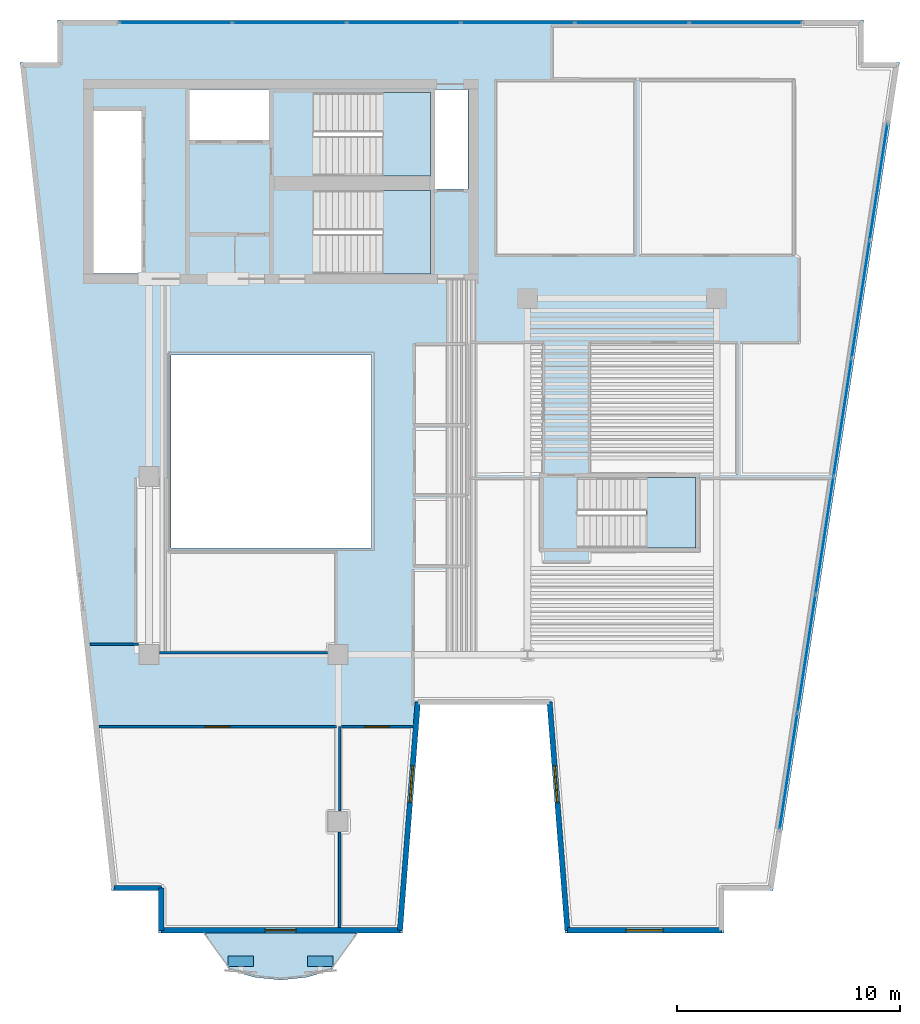
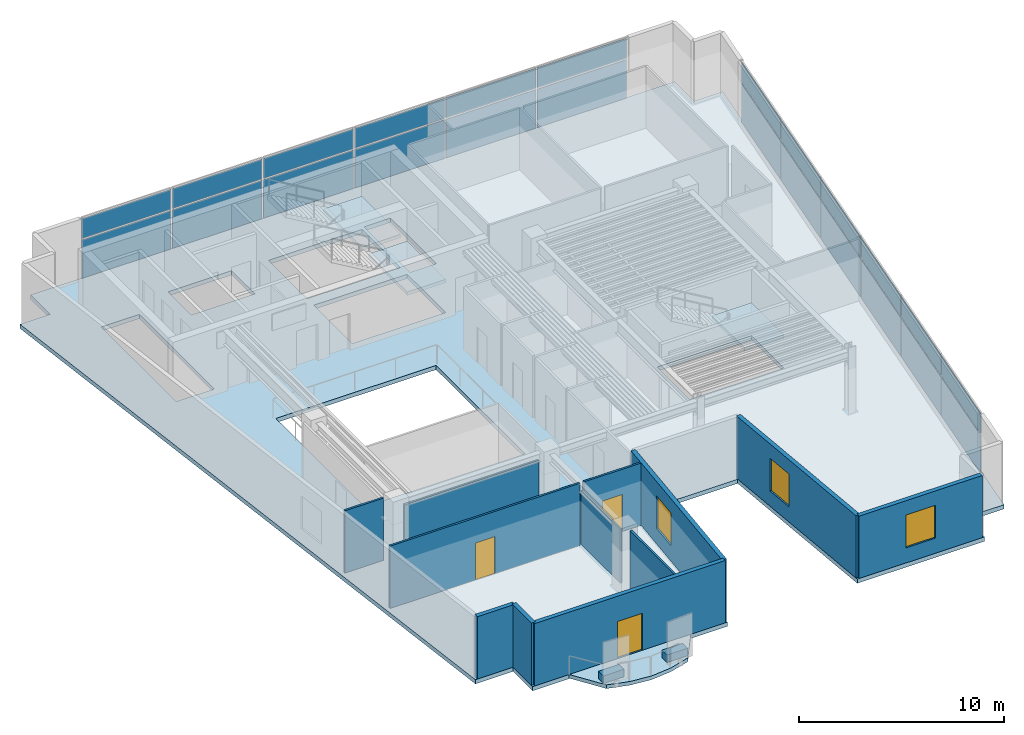
# One storey, part 3 of 8: 26 plates, 12 walls, 5 slabs, 3 doors, 3 windows, 6 openings, 5 elements without a shape of their own.
"""IFC4 building model written with IfcOpenShell, lengths in metres."""

import ifcopenshell
import ifcopenshell.guid

model = None  # the IFC model being written
_history = None  # IfcOwnerHistory: only IFC2X3 demands one
_inside = {}  # id of a spatial element -> (the spatial element, [elements in it])
_under = {}  # id of a project, library or spatial element -> (it, [spatial elements below it])
_declared = {}  # id of a project -> (the project, [libraries it declares])
_typed = {}  # id of a type object -> (the type object, [elements of that type])
_made_of = {}  # id of a material, layer set ... -> (it, [elements and type objects made of it])


def new_model(schema):
    """Start an empty IFC model of exactly this schema.

    Asked for "IFC4X3", IfcOpenShell would pick the latest addendum, in which some entities
    have other attributes; the version numbers below select the first issue.
    IFC2X3 requires an IfcOwnerHistory on every rooted entity: one is made here for all.
    """
    global model, _history
    if schema == "IFC4X3":
        model = ifcopenshell.file(schema_version=(4, 3, 0, 0))
    else:
        model = ifcopenshell.file(schema=schema)
    _inside.clear()
    _under.clear()
    _declared.clear()
    _typed.clear()
    _made_of.clear()
    _history = None
    if model.schema == "IFC2X3":
        org = make("IfcOrganization", Name="unknown")
        user = make(
            "IfcPersonAndOrganization",
            ThePerson=make("IfcPerson", FamilyName="unknown"),
            TheOrganization=org,
        )
        app = make(
            "IfcApplication",
            ApplicationDeveloper=org,
            Version="unknown",
            ApplicationFullName="unknown",
            ApplicationIdentifier="unknown",
        )
        _history = make(
            "IfcOwnerHistory",
            OwningUser=user,
            OwningApplication=app,
            ChangeAction="ADDED",
            CreationDate=0,
        )
    return model


def make(cls, **values):
    """One entity of the class cls with the attributes given. An attribute that is None is left unset."""
    return model.create_entity(
        cls, **{name: value for name, value in values.items() if value is not None}
    )


def rooted(cls, **values):
    """An entity with a GlobalId (a new one), such as an element, a storey or a relation."""
    return make(cls, GlobalId=ifcopenshell.guid.new(), OwnerHistory=_history, **values)


def si_unit(unit_type, name, prefix=None):
    """IfcSIUnit, for example si_unit("LENGTHUNIT", "METRE", prefix="MILLI")."""
    return make("IfcSIUnit", UnitType=unit_type, Prefix=prefix, Name=name)


def assignment(units):
    """IfcUnitAssignment: the units of a project."""
    return None if units is None else make("IfcUnitAssignment", Units=units)


def point(xyz):
    """IfcCartesianPoint."""
    return None if xyz is None else make("IfcCartesianPoint", Coordinates=xyz)


def direction(xyz):
    """IfcDirection."""
    return None if xyz is None else make("IfcDirection", DirectionRatios=xyz)


def frame(location, z_axis=None, x_axis=None):
    """IfcAxis2Placement3D, a coordinate frame: its origin and axes. An axis left out is left unset."""
    return make(
        "IfcAxis2Placement3D",
        Location=point(location),
        Axis=direction(z_axis),
        RefDirection=direction(x_axis),
    )


def frame_2d(location, x_axis=None):
    """IfcAxis2Placement2D, a coordinate frame in the plane: its origin and x axis."""
    return make(
        "IfcAxis2Placement2D", Location=point(location), RefDirection=direction(x_axis)
    )


def origin():
    """The frame at (0, 0, 0) with its axes left unset."""
    return frame((0.0, 0.0, 0.0))


def origin_2d():
    """The frame at (0, 0) in the plane with its x axis left unset."""
    return frame_2d((0.0, 0.0))


def place(relative_to, where):
    """IfcLocalPlacement: puts the frame where relative to a parent placement (None: the world)."""
    return make(
        "IfcLocalPlacement", PlacementRelTo=relative_to, RelativePlacement=where
    )


def context(
    kind, dimensions, precision=None, world=None, true_north=None, identifier=None
):
    """IfcGeometricRepresentationContext, for example the 3D "Model" context."""
    return make(
        "IfcGeometricRepresentationContext",
        ContextIdentifier=identifier,
        ContextType=kind,
        CoordinateSpaceDimension=dimensions,
        Precision=precision,
        WorldCoordinateSystem=world,
        TrueNorth=true_north,
    )


def subcontext(parent, identifier, kind, view, scale=None):
    """IfcGeometricRepresentationSubContext, for example "Body" below "Model"."""
    return make(
        "IfcGeometricRepresentationSubContext",
        ContextIdentifier=identifier,
        ContextType=kind,
        ParentContext=parent,
        TargetScale=scale,
        TargetView=view,
    )


def project(units=None, contexts=None):
    """IfcProject with its units and contexts."""
    return rooted(
        "IfcProject",
        Name="project",
        RepresentationContexts=contexts,
        UnitsInContext=assignment(units),
    )


def spatial(cls, under=None, at=None, **own):
    """A site, building, storey or space (cls), placed at a placement, below another one or the project."""
    s = rooted(cls, ObjectPlacement=at, **own)
    if under is not None:
        _under.setdefault(under.id(), (under, []))[1].append(s)
    return s


def polyline(points):
    """IfcPolyline through the points."""
    return make("IfcPolyline", Points=[point(p) for p in points])


def profile(cls, at=None, kind="AREA", **sizes):
    """A parametric profile (cls). Its sizes go by their IFC names, for example OverallWidth=200.0."""
    return make(cls, ProfileType=kind, Position=at, **sizes)


def rectangle(**sizes):
    """IfcRectangleProfileDef."""
    return profile("IfcRectangleProfileDef", **sizes)


def outline(outer, holes=None, kind="AREA"):
    """IfcArbitraryClosedProfileDef: a profile drawn as a closed curve; with holes, ...WithVoids."""
    if holes is None:
        return make("IfcArbitraryClosedProfileDef", ProfileType=kind, OuterCurve=outer)
    return make(
        "IfcArbitraryProfileDefWithVoids",
        ProfileType=kind,
        OuterCurve=outer,
        InnerCurves=holes,
    )


def extrude(swept, where, along, depth):
    """IfcExtrudedAreaSolid: the profile swept, set in the frame where, extruded along a direction by depth."""
    return make(
        "IfcExtrudedAreaSolid",
        SweptArea=swept,
        Position=where,
        ExtrudedDirection=direction(along),
        Depth=depth,
    )


def shape(context_of_items, identifier, shape_type, items):
    """IfcShapeRepresentation: the items that make up one representation, for example the "Body"."""
    return make(
        "IfcShapeRepresentation",
        ContextOfItems=context_of_items,
        RepresentationIdentifier=identifier,
        RepresentationType=shape_type,
        Items=items,
    )


def material(Name=None, Category=None):
    """IfcMaterial."""
    return make("IfcMaterial", Name=Name, Category=Category)


def layer(
    of_material, thickness, ventilated=None, Name=None, Category=None, Priority=None
):
    """IfcMaterialLayer: one layer of a wall or slab, of a material (None: an air gap)."""
    return make(
        "IfcMaterialLayer",
        Material=of_material,
        LayerThickness=thickness,
        IsVentilated=ventilated,
        Name=Name,
        Category=Category,
        Priority=Priority,
    )


def layer_set(layers, Name=None):
    """IfcMaterialLayerSet."""
    return make("IfcMaterialLayerSet", MaterialLayers=layers, LayerSetName=Name)


def made_of(thing, what):
    """Note that an element or type object is made of a material, layer set ...; save() writes the relation."""
    if what is not None:
        _made_of.setdefault(what.id(), (what, []))[1].append(thing)
    return thing


def type_object(cls, material=None, **own):
    """A type object (cls), such as IfcWallType, which elements share."""
    return made_of(rooted(cls, **own), material)


def element(
    cls,
    number,
    at=None,
    inside=None,
    cuts=None,
    type_object=None,
    material=None,
    context=None,
    identifier="Body",
    shape_type=None,
    held_by="IfcProductDefinitionShape",
    body=None,
    shapes=None,
    **own,
):
    """One element of the class cls, such as IfcWall. Its Tag is "e" and its number.

    at: its placement. inside: the storey or other place that contains it. cuts: it is an
    opening in that element (IfcRelVoidsElement). A single representation is given by context,
    identifier, shape_type and body (its items); several are given by shapes. held_by: the class
    of the entity that holds the representations. save() writes the other relations.
    """
    e = rooted(cls, Tag="e%d" % number, ObjectPlacement=at, **own)
    if body is not None:
        shapes = [shape(context, identifier, shape_type, body)]
    if shapes is not None:
        e.Representation = make(held_by, Representations=shapes)
    if inside is not None:
        _inside.setdefault(inside.id(), (inside, []))[1].append(e)
    if cuts is not None:
        rooted(
            "IfcRelVoidsElement", RelatingBuildingElement=cuts, RelatedOpeningElement=e
        )
    if type_object is not None:
        _typed.setdefault(type_object.id(), (type_object, []))[1].append(e)
    return made_of(e, material)


def fill(opening, filler):
    """IfcRelFillsElement: the door or window that sits in an opening."""
    return rooted(
        "IfcRelFillsElement",
        RelatingOpeningElement=opening,
        RelatedBuildingElement=filler,
    )


def aggregate(whole, parts):
    """IfcRelAggregates: a whole, such as a stair, and the parts it consists of."""
    return rooted("IfcRelAggregates", RelatingObject=whole, RelatedObjects=parts)


def save(model, path):
    """Write the relations noted so far, then the file.

    IfcRelAggregates (storeys below a building ...), IfcRelContainedInSpatialStructure (elements
    in a storey), IfcRelDefinesByType, IfcRelAssociatesMaterial and IfcRelDeclares: one each for
    every whole, place, type object, material and project.
    """
    for whole, parts in _under.values():
        aggregate(whole, parts)
    for where, things in _inside.values():
        rooted(
            "IfcRelContainedInSpatialStructure",
            RelatedElements=things,
            RelatingStructure=where,
        )
    for kind, things in _typed.values():
        rooted("IfcRelDefinesByType", RelatedObjects=things, RelatingType=kind)
    for what, things in _made_of.values():
        rooted("IfcRelAssociatesMaterial", RelatedObjects=things, RelatingMaterial=what)
    for by, libraries in _declared.values():
        rooted("IfcRelDeclares", RelatingContext=by, RelatedDefinitions=libraries)
    model.write(path)


model = new_model("IFC4")

# Units and contexts
model_context = context("Model", 3, precision=1e-05, world=origin(), true_north=direction((0.0, 1.0)))
body_context = subcontext(model_context, "Body", "Model", "MODEL_VIEW")
ifc_project = project(units=[si_unit("LENGTHUNIT", "METRE"), si_unit("AREAUNIT", "SQUARE_METRE"), si_unit("VOLUMEUNIT", "CUBIC_METRE"), si_unit("PLANEANGLEUNIT", "RADIAN"), si_unit("MASSUNIT", "GRAM", prefix="KILO")], contexts=[model_context])

# Site, building, storey
site_placement = place(None, origin())
site = spatial("IfcSite", under=ifc_project, at=site_placement, CompositionType="ELEMENT")
building_placement = place(site_placement, origin())
building = spatial("IfcBuilding", under=site, at=building_placement, Name="Caeloran Harvest Quay", CompositionType="ELEMENT")
storey_placement = place(building_placement, frame((0.0, 0.0, 239.050048828125)))
storey = spatial("IfcBuildingStorey", under=building, at=storey_placement, Name="L57", CompositionType="ELEMENT", Elevation=239.050048828125)

# Slab
ifc_material_1 = material(Name="Concrete C50/60", Category="concrete")
ifc_layer_1 = layer(ifc_material_1, 0.219970703125, Name="Concrete C50/60")
ifc_layer_set_1 = layer_set([ifc_layer_1], Name="Concrete C50/60")
slab_type_1 = type_object("IfcSlabType", Name="BALCONY-BL-220", PredefinedType="FLOOR", material=ifc_layer_set_1)
slab_1_placement = place(storey_placement, frame((0.0, 0.0, -0.219970703125)))
element("IfcSlab", 1, at=slab_1_placement, inside=storey, type_object=slab_type_1, Name="L57 Scalloped Cantilevered Planted Balcony Slab", PredefinedType="FLOOR", context=body_context, shape_type="SweptSolid", body=[
    extrude(outline(polyline([(16.70068359375, 0.82958984375), (15.5576171875, 0.507080078125), (14.41455078125, 0.388916015625), (13.271240234375, 0.507080078125), (12.128173828125, 0.82958984375), (10.99853515625, 2.5), (17.83056640625, 2.5), (16.70068359375, 0.82958984375)])), origin(), (0.0, 0.0, 1.0), 0.219970703125),
])

# Curtain wall, plates
ifc_material_2 = material(Name="Aluminium 6063-T6 and Low-E Glazing", Category="aluminium")
ifc_layer_2 = layer(ifc_material_2, 0.219970703125, Name="Aluminium 6063-T6 and Low-E Glazing")
ifc_layer_set_2 = layer_set([ifc_layer_2], Name="Aluminium 6063-T6 and Low-E Glazing")
curtain_wall_type = type_object("IfcCurtainWallType", Name="CW-SYS-CW-5", PredefinedType="USERDEFINED", material=ifc_layer_set_2)
curtain_wall_1_placement = place(storey_placement, origin())
curtain_wall_1 = element("IfcCurtainWall", 2, at=curtain_wall_1_placement, inside=storey, type_object=curtain_wall_type, Name="L57 Unitised Curtain Wall CW-5 Run 6", ObjectType="CURTAIN_WALL", PredefinedType="USERDEFINED")
ifc_material_3 = material(Name="Low-E Double Glazed Vision Glass Unit", Category="glass")
ifc_layer_3 = layer(ifc_material_3, 0.035888671875, Name="Low-E Double Glazed Vision Glass Unit")
ifc_layer_set_3 = layer_set([ifc_layer_3], Name="Low-E Double Glazed Vision Glass Unit")
plate_type_1 = type_object("IfcPlateType", Name="CW-VISION-PANEL", PredefinedType="CURTAIN_PANEL", material=ifc_layer_set_3)
plate_1_placement = place(storey_placement, frame((9.703369140625, 43.3798828125, 0.080078125), z_axis=(0.0, 0.0, 1.0), x_axis=(1.0, 0.0, 0.0)))
plate_1 = element("IfcPlate", 3, at=plate_1_placement, type_object=plate_type_1, Name="CW-5 panel 1.1", PredefinedType="CURTAIN_PANEL", context=body_context, shape_type="SweptSolid", body=[
    extrude(rectangle(XDim=5.006591796875, YDim=0.035888671875, at=origin_2d()), origin(), (0.0, 0.0, 1.0), 2.280029296875),
])
plate_2_placement = place(storey_placement, frame((9.703369140625, 43.3798828125, 2.43994140625), z_axis=(0.0, 0.0, 1.0), x_axis=(1.0, 0.0, 0.0)))
plate_2 = element("IfcPlate", 4, at=plate_2_placement, type_object=plate_type_1, Name="CW-5 panel 1.2", PredefinedType="CURTAIN_PANEL", context=body_context, shape_type="SweptSolid", body=[
    extrude(rectangle(XDim=5.006591796875, YDim=0.035888671875, at=origin_2d()), origin(), (0.0, 0.0, 1.0), 1.179931640625),
])
plate_3_placement = place(storey_placement, frame((14.81005859375, 43.3798828125, 0.080078125), z_axis=(0.0, 0.0, 1.0), x_axis=(1.0, 0.0, 0.0)))
plate_3 = element("IfcPlate", 5, at=plate_3_placement, type_object=plate_type_1, Name="CW-5 panel 2.1", PredefinedType="CURTAIN_PANEL", context=body_context, shape_type="SweptSolid", body=[
    extrude(rectangle(XDim=5.046630859375, YDim=0.035888671875, at=origin_2d()), origin(), (0.0, 0.0, 1.0), 2.280029296875),
])
plate_4_placement = place(storey_placement, frame((14.81005859375, 43.3798828125, 2.43994140625), z_axis=(0.0, 0.0, 1.0), x_axis=(1.0, 0.0, 0.0)))
plate_4 = element("IfcPlate", 6, at=plate_4_placement, type_object=plate_type_1, Name="CW-5 panel 2.2", PredefinedType="CURTAIN_PANEL", context=body_context, shape_type="SweptSolid", body=[
    extrude(rectangle(XDim=5.046630859375, YDim=0.035888671875, at=origin_2d()), origin(), (0.0, 0.0, 1.0), 1.179931640625),
])
plate_5_placement = place(storey_placement, frame((19.936767578125, 43.3798828125, 0.080078125), z_axis=(0.0, 0.0, 1.0), x_axis=(1.0, 0.0, 0.0)))
plate_5 = element("IfcPlate", 7, at=plate_5_placement, type_object=plate_type_1, Name="CW-5 panel 3.1", PredefinedType="CURTAIN_PANEL", context=body_context, shape_type="SweptSolid", body=[
    extrude(rectangle(XDim=5.046630859375, YDim=0.035888671875, at=origin_2d()), origin(), (0.0, 0.0, 1.0), 2.280029296875),
])
plate_6_placement = place(storey_placement, frame((19.936767578125, 43.3798828125, 2.43994140625), z_axis=(0.0, 0.0, 1.0), x_axis=(1.0, 0.0, 0.0)))
plate_6 = element("IfcPlate", 8, at=plate_6_placement, type_object=plate_type_1, Name="CW-5 panel 3.2", PredefinedType="CURTAIN_PANEL", context=body_context, shape_type="SweptSolid", body=[
    extrude(rectangle(XDim=5.046630859375, YDim=0.035888671875, at=origin_2d()), origin(), (0.0, 0.0, 1.0), 1.179931640625),
])
plate_7_placement = place(storey_placement, frame((25.063232421875, 43.3798828125, 0.080078125), z_axis=(0.0, 0.0, 1.0), x_axis=(1.0, 0.0, 0.0)))
plate_7 = element("IfcPlate", 9, at=plate_7_placement, type_object=plate_type_1, Name="CW-5 panel 4.1", PredefinedType="CURTAIN_PANEL", context=body_context, shape_type="SweptSolid", body=[
    extrude(rectangle(XDim=5.046630859375, YDim=0.035888671875, at=origin_2d()), origin(), (0.0, 0.0, 1.0), 2.280029296875),
])
plate_8_placement = place(storey_placement, frame((25.063232421875, 43.3798828125, 2.43994140625), z_axis=(0.0, 0.0, 1.0), x_axis=(1.0, 0.0, 0.0)))
plate_8 = element("IfcPlate", 10, at=plate_8_placement, type_object=plate_type_1, Name="CW-5 panel 4.2", PredefinedType="CURTAIN_PANEL", context=body_context, shape_type="SweptSolid", body=[
    extrude(rectangle(XDim=5.046630859375, YDim=0.035888671875, at=origin_2d()), origin(), (0.0, 0.0, 1.0), 1.179931640625),
])
plate_9_placement = place(storey_placement, frame((30.18994140625, 43.3798828125, 0.080078125), z_axis=(0.0, 0.0, 1.0), x_axis=(1.0, 0.0, 0.0)))
plate_9 = element("IfcPlate", 11, at=plate_9_placement, type_object=plate_type_1, Name="CW-5 panel 5.1", PredefinedType="CURTAIN_PANEL", context=body_context, shape_type="SweptSolid", body=[
    extrude(rectangle(XDim=5.046630859375, YDim=0.035888671875, at=origin_2d()), origin(), (0.0, 0.0, 1.0), 2.280029296875),
])
plate_10_placement = place(storey_placement, frame((30.18994140625, 43.3798828125, 2.43994140625), z_axis=(0.0, 0.0, 1.0), x_axis=(1.0, 0.0, 0.0)))
plate_10 = element("IfcPlate", 12, at=plate_10_placement, type_object=plate_type_1, Name="CW-5 panel 5.2", PredefinedType="CURTAIN_PANEL", context=body_context, shape_type="SweptSolid", body=[
    extrude(rectangle(XDim=5.046630859375, YDim=0.035888671875, at=origin_2d()), origin(), (0.0, 0.0, 1.0), 1.179931640625),
])
plate_11_placement = place(storey_placement, frame((35.296630859375, 43.3798828125, 0.080078125), z_axis=(0.0, 0.0, 1.0), x_axis=(1.0, 0.0, 0.0)))
plate_11 = element("IfcPlate", 13, at=plate_11_placement, type_object=plate_type_1, Name="CW-5 panel 6.1", PredefinedType="CURTAIN_PANEL", context=body_context, shape_type="SweptSolid", body=[
    extrude(rectangle(XDim=5.006591796875, YDim=0.035888671875, at=origin_2d()), origin(), (0.0, 0.0, 1.0), 2.280029296875),
])
plate_12_placement = place(storey_placement, frame((35.296630859375, 43.3798828125, 2.43994140625), z_axis=(0.0, 0.0, 1.0), x_axis=(1.0, 0.0, 0.0)))
plate_12 = element("IfcPlate", 14, at=plate_12_placement, type_object=plate_type_1, Name="CW-5 panel 6.2", PredefinedType="CURTAIN_PANEL", context=body_context, shape_type="SweptSolid", body=[
    extrude(rectangle(XDim=5.006591796875, YDim=0.035888671875, at=origin_2d()), origin(), (0.0, 0.0, 1.0), 1.179931640625),
])
aggregate(curtain_wall_1, [plate_1, plate_2, plate_3, plate_4, plate_5, plate_6, plate_7, plate_8, plate_9, plate_10, plate_11, plate_12])

curtain_wall_2_placement = place(storey_placement, origin())
curtain_wall_2 = element("IfcCurtainWall", 15, at=curtain_wall_2_placement, inside=storey, type_object=curtain_wall_type, Name="L57 Unitised Curtain Wall CW-5 Run 9", ObjectType="CURTAIN_WALL", PredefinedType="USERDEFINED")
plate_13_placement = place(storey_placement, frame((41.26904296875, 36.23828125, 0.080078125), z_axis=(0.0, 0.0, 1.0), x_axis=(-0.151027591278, -0.988529547698, 0.0)))
plate_13 = element("IfcPlate", 16, at=plate_13_placement, type_object=plate_type_1, Name="CW-5 panel 1.1", PredefinedType="CURTAIN_PANEL", context=body_context, shape_type="SweptSolid", body=[
    extrude(rectangle(XDim=5.244873046875, YDim=0.035888671875, at=origin_2d()), origin(), (0.0, 0.0, 1.0), 2.280029296875),
])
plate_14_placement = place(storey_placement, frame((41.26904296875, 36.23828125, 2.43994140625), z_axis=(0.0, 0.0, 1.0), x_axis=(-0.151027591278, -0.988529547698, 0.0)))
plate_14 = element("IfcPlate", 17, at=plate_14_placement, type_object=plate_type_1, Name="CW-5 panel 1.2", PredefinedType="CURTAIN_PANEL", context=body_context, shape_type="SweptSolid", body=[
    extrude(rectangle(XDim=5.244873046875, YDim=0.035888671875, at=origin_2d()), origin(), (0.0, 0.0, 1.0), 1.179931640625),
])
plate_15_placement = place(storey_placement, frame((40.4619140625, 30.954833984375, 0.080078125), z_axis=(0.0, 0.0, 1.0), x_axis=(-0.151027591278, -0.988529547698, 0.0)))
plate_15 = element("IfcPlate", 18, at=plate_15_placement, type_object=plate_type_1, Name="CW-5 panel 2.1", PredefinedType="CURTAIN_PANEL", context=body_context, shape_type="SweptSolid", body=[
    extrude(rectangle(XDim=5.284912109375, YDim=0.035888671875, at=origin_2d()), origin(), (0.0, 0.0, 1.0), 2.280029296875),
])
plate_16_placement = place(storey_placement, frame((40.4619140625, 30.954833984375, 2.43994140625), z_axis=(0.0, 0.0, 1.0), x_axis=(-0.151027591278, -0.988529547698, 0.0)))
plate_16 = element("IfcPlate", 19, at=plate_16_placement, type_object=plate_type_1, Name="CW-5 panel 2.2", PredefinedType="CURTAIN_PANEL", context=body_context, shape_type="SweptSolid", body=[
    extrude(rectangle(XDim=5.284912109375, YDim=0.035888671875, at=origin_2d()), origin(), (0.0, 0.0, 1.0), 1.179931640625),
])
plate_17_placement = place(storey_placement, frame((39.651611328125, 25.651611328125, 0.080078125), z_axis=(0.0, 0.0, 1.0), x_axis=(-0.151027591278, -0.988529547698, 0.0)))
plate_17 = element("IfcPlate", 20, at=plate_17_placement, type_object=plate_type_1, Name="CW-5 panel 3.1", PredefinedType="CURTAIN_PANEL", context=body_context, shape_type="SweptSolid", body=[
    extrude(rectangle(XDim=5.284912109375, YDim=0.035888671875, at=origin_2d()), origin(), (0.0, 0.0, 1.0), 2.280029296875),
])
plate_18_placement = place(storey_placement, frame((39.651611328125, 25.651611328125, 2.43994140625), z_axis=(0.0, 0.0, 1.0), x_axis=(-0.151027591278, -0.988529547698, 0.0)))
plate_18 = element("IfcPlate", 21, at=plate_18_placement, type_object=plate_type_1, Name="CW-5 panel 3.2", PredefinedType="CURTAIN_PANEL", context=body_context, shape_type="SweptSolid", body=[
    extrude(rectangle(XDim=5.284912109375, YDim=0.035888671875, at=origin_2d()), origin(), (0.0, 0.0, 1.0), 1.179931640625),
])
plate_19_placement = place(storey_placement, frame((38.841552734375, 20.348388671875, 0.080078125), z_axis=(0.0, 0.0, 1.0), x_axis=(-0.151027591278, -0.988529547698, 0.0)))
plate_19 = element("IfcPlate", 22, at=plate_19_placement, type_object=plate_type_1, Name="CW-5 panel 4.1", PredefinedType="CURTAIN_PANEL", context=body_context, shape_type="SweptSolid", body=[
    extrude(rectangle(XDim=5.284912109375, YDim=0.035888671875, at=origin_2d()), origin(), (0.0, 0.0, 1.0), 2.280029296875),
])
plate_20_placement = place(storey_placement, frame((38.841552734375, 20.348388671875, 2.43994140625), z_axis=(0.0, 0.0, 1.0), x_axis=(-0.151027591278, -0.988529547698, 0.0)))
plate_20 = element("IfcPlate", 23, at=plate_20_placement, type_object=plate_type_1, Name="CW-5 panel 4.2", PredefinedType="CURTAIN_PANEL", context=body_context, shape_type="SweptSolid", body=[
    extrude(rectangle(XDim=5.284912109375, YDim=0.035888671875, at=origin_2d()), origin(), (0.0, 0.0, 1.0), 1.179931640625),
])
plate_21_placement = place(storey_placement, frame((38.03125, 15.045166015625, 0.080078125), z_axis=(0.0, 0.0, 1.0), x_axis=(-0.151027591278, -0.988529547698, 0.0)))
plate_21 = element("IfcPlate", 24, at=plate_21_placement, type_object=plate_type_1, Name="CW-5 panel 5.1", PredefinedType="CURTAIN_PANEL", context=body_context, shape_type="SweptSolid", body=[
    extrude(rectangle(XDim=5.284912109375, YDim=0.035888671875, at=origin_2d()), origin(), (0.0, 0.0, 1.0), 2.280029296875),
])
plate_22_placement = place(storey_placement, frame((38.03125, 15.045166015625, 2.43994140625), z_axis=(0.0, 0.0, 1.0), x_axis=(-0.151027591278, -0.988529547698, 0.0)))
plate_22 = element("IfcPlate", 25, at=plate_22_placement, type_object=plate_type_1, Name="CW-5 panel 5.2", PredefinedType="CURTAIN_PANEL", context=body_context, shape_type="SweptSolid", body=[
    extrude(rectangle(XDim=5.284912109375, YDim=0.035888671875, at=origin_2d()), origin(), (0.0, 0.0, 1.0), 1.179931640625),
])
plate_23_placement = place(storey_placement, frame((37.22412109375, 9.76171875, 0.080078125), z_axis=(0.0, 0.0, 1.0), x_axis=(-0.151027591278, -0.988529547698, 0.0)))
plate_23 = element("IfcPlate", 26, at=plate_23_placement, type_object=plate_type_1, Name="CW-5 panel 6.1", PredefinedType="CURTAIN_PANEL", context=body_context, shape_type="SweptSolid", body=[
    extrude(rectangle(XDim=5.244873046875, YDim=0.035888671875, at=origin_2d()), origin(), (0.0, 0.0, 1.0), 2.280029296875),
])
plate_24_placement = place(storey_placement, frame((37.22412109375, 9.76171875, 2.43994140625), z_axis=(0.0, 0.0, 1.0), x_axis=(-0.151027591278, -0.988529547698, 0.0)))
plate_24 = element("IfcPlate", 27, at=plate_24_placement, type_object=plate_type_1, Name="CW-5 panel 6.2", PredefinedType="CURTAIN_PANEL", context=body_context, shape_type="SweptSolid", body=[
    extrude(rectangle(XDim=5.244873046875, YDim=0.035888671875, at=origin_2d()), origin(), (0.0, 0.0, 1.0), 1.179931640625),
])
aggregate(curtain_wall_2, [plate_13, plate_14, plate_15, plate_16, plate_17, plate_18, plate_19, plate_20, plate_21, plate_22, plate_23, plate_24])

# Plates
ifc_material_4 = material(Name="Precast concrete C50/60", Category="concrete")
ifc_layer_4 = layer(ifc_material_4, 0.449951171875, Name="Precast concrete C50/60")
ifc_layer_set_4 = layer_set([ifc_layer_4], Name="Precast concrete C50/60")
plate_type_2 = type_object("IfcPlateType", Name="PLANTER-TROUGH-450", PredefinedType="USERDEFINED", material=ifc_layer_set_4)
for number, where, z_axis, x_axis, name in (
    (28, (16.19775390625, 1.23681640625, 0.0), (0.0, 0.0, 1.0), (1.0, 0.0, 0.0), "L57 Balcony Vertical-Greenery Precast PLANTER Trough 1"),
    (29, (12.631103515625, 1.23681640625, 0.0), (0.0, 0.0, 1.0), (1.0, 0.0, 0.0), "L57 Balcony Vertical-Greenery Precast PLANTER Trough 2"),
):
    element("IfcPlate", number, at=place(storey_placement, frame(where, z_axis=z_axis, x_axis=x_axis)), inside=storey, type_object=plate_type_2, Name=name, ObjectType="PLANTER", PredefinedType="USERDEFINED", context=body_context, shape_type="SweptSolid", body=[
        extrude(rectangle(XDim=1.14990234375, YDim=0.47998046875, at=origin_2d()), origin(), (0.0, 0.0, 1.0), 0.449951171875),
    ])

# Slab
ifc_layer_5 = layer(ifc_material_1, 0.25, Name="Concrete C50/60")
ifc_layer_set_5 = layer_set([ifc_layer_5], Name="Concrete C50/60")
slab_type_2 = type_object("IfcSlabType", Name="SLAB-FS-250", PredefinedType="FLOOR", material=ifc_layer_set_5)
slab_2_placement = place(storey_placement, frame((0.0, 0.0, -0.25)))
element("IfcSlab", 30, at=slab_2_placement, inside=storey, type_object=slab_type_2, Name="L57 Structural Floor Slab", PredefinedType="FLOOR", context=body_context, shape_type="SweptSolid", body=[
    extrude(outline(polyline([(8.93603515625, 2.5), (19.884033203125, 2.5), (20.68408203125, 12.75), (26.384033203125, 12.75), (27.18408203125, 2.5), (34.3359375, 2.5), (34.3359375, 4.39990234375), (36.5263671875, 4.39990234375), (42.209716796875, 41.60009765625), (40.60009765625, 41.60009765625), (40.60009765625, 43.5), (4.39990234375, 43.5), (4.39990234375, 41.60009765625), (2.710205078125, 41.60009765625), (6.82568359375, 4.39990234375), (8.93603515625, 4.39990234375), (8.93603515625, 2.5)]), holes=[polyline([(33.050048828125, 19.800048828125), (27.75, 19.800048828125), (27.75, 22.949951171875), (33.050048828125, 22.949951171875), (33.050048828125, 19.800048828125)]), polyline([(18.5, 19.800048828125), (9.5, 19.800048828125), (9.5, 28.449951171875), (18.5, 28.449951171875), (18.5, 19.800048828125)]), polyline([(15.89990234375, 32.10009765625), (15.89990234375, 35.85009765625), (21.14990234375, 35.85009765625), (21.14990234375, 32.10009765625), (15.89990234375, 32.10009765625)]), polyline([(8.159912109375, 32.1201171875), (6.02001953125, 32.1201171875), (6.02001953125, 39.419921875), (8.159912109375, 39.419921875), (8.159912109375, 32.1201171875)]), polyline([(22.830078125, 35.919921875), (21.35009765625, 35.919921875), (21.35009765625, 40.3798828125), (22.830078125, 40.3798828125), (22.830078125, 35.919921875)]), polyline([(15.89990234375, 36.5), (15.89990234375, 40.25), (21.14990234375, 40.25), (21.14990234375, 36.5), (15.89990234375, 36.5)]), polyline([(13.89990234375, 38.1201171875), (10.320068359375, 38.1201171875), (10.320068359375, 40.3798828125), (13.89990234375, 40.3798828125), (13.89990234375, 38.1201171875)])]), origin(), (0.0, 0.0, 1.0), 0.25),
])

# Stair, slab
stair_type_1 = type_object("IfcStairType", Name="STAIR-STC-180", PredefinedType="HALF_TURN_STAIR", material=ifc_material_1)
stair_1_placement = place(storey_placement, origin())
stair_1 = element("IfcStair", 31, at=stair_1_placement, inside=storey, type_object=stair_type_1, Name="L57 Core Pressurized Exit Stair ST-C1", PredefinedType="HALF_TURN_STAIR")
ifc_layer_6 = layer(ifc_material_1, 0.219970703125, Name="Concrete C50/60")
ifc_layer_set_6 = layer_set([ifc_layer_6], Name="Concrete C50/60")
slab_type_3 = type_object("IfcSlabType", Name="STAIR-LANDING-220", PredefinedType="LANDING", material=ifc_layer_set_6)
slab_3_placement = place(storey_placement, frame((0.0, 0.0, 1.77490234375)))
slab_3 = element("IfcSlab", 32, at=slab_3_placement, type_object=slab_type_3, Name="ST-C1 landing 1", PredefinedType="LANDING", context=body_context, shape_type="SweptSolid", body=[
    extrude(outline(polyline([(18.97998046875, 36.5), (21.14990234375, 36.5), (21.14990234375, 40.25), (18.97998046875, 40.25), (18.97998046875, 36.5)])), origin(), (0.0, 0.0, 1.0), 0.199951171875),
])
aggregate(stair_1, [slab_3])

stair_2_placement = place(storey_placement, origin())
stair_2 = element("IfcStair", 33, at=stair_2_placement, inside=storey, type_object=stair_type_1, Name="L57 Core Pressurized Exit Stair ST-C2", PredefinedType="HALF_TURN_STAIR")
slab_4_placement = place(storey_placement, frame((0.0, 0.0, 1.77490234375)))
slab_4 = element("IfcSlab", 34, at=slab_4_placement, type_object=slab_type_3, Name="ST-C2 landing 1", PredefinedType="LANDING", context=body_context, shape_type="SweptSolid", body=[
    extrude(outline(polyline([(18.97998046875, 32.10009765625), (21.14990234375, 32.10009765625), (21.14990234375, 35.85009765625), (18.97998046875, 35.85009765625), (18.97998046875, 32.10009765625)])), origin(), (0.0, 0.0, 1.0), 0.199951171875),
])
aggregate(stair_2, [slab_4])

stair_type_2 = type_object("IfcStairType", Name="STAIR-STW-150", PredefinedType="HALF_TURN_STAIR", material=ifc_material_1)
stair_3_placement = place(storey_placement, origin())
stair_3 = element("IfcStair", 35, at=stair_3_placement, inside=storey, type_object=stair_type_2, Name="L57 East Wing Protected Exit Stair ST-W1", PredefinedType="HALF_TURN_STAIR")
slab_5_placement = place(storey_placement, frame((0.0, 0.0, 1.77490234375)))
slab_5 = element("IfcSlab", 36, at=slab_5_placement, type_object=slab_type_3, Name="ST-W1 landing 1", PredefinedType="LANDING", context=body_context, shape_type="SweptSolid", body=[
    extrude(outline(polyline([(30.830078125, 19.800048828125), (33.050048828125, 19.800048828125), (33.050048828125, 22.949951171875), (30.830078125, 22.949951171875), (30.830078125, 19.800048828125)])), origin(), (0.0, 0.0, 1.0), 0.199951171875),
])
aggregate(stair_3, [slab_5])

# Walls
ifc_layer_7 = layer(ifc_material_4, 0.239990234375, Name="Precast concrete C50/60")
ifc_layer_set_7 = layer_set([ifc_layer_7], Name="Precast concrete C50/60")
wall_type_1 = type_object("IfcWallType", Name="ENV-WALL-EW-240", PredefinedType="STANDARD", material=ifc_layer_set_7)
wall_1_placement = place(storey_placement, frame((9.055908203125, 2.6201171875, 0.0), z_axis=(0.0, 0.0, 1.0), x_axis=(0.0, 1.0, 0.0)))
element("IfcWall", 37, at=wall_1_placement, inside=storey, type_object=wall_type_1, Name="L57 Exterior Precast Concrete Facade Wall 1", PredefinedType="STANDARD", context=body_context, shape_type="SweptSolid", body=[
    extrude(rectangle(XDim=1.89990234375, YDim=0.239990234375, at=frame_2d((0.949951171875, 0.0))), origin(), (0.0, 0.0, 1.0), 3.699951171875),
])
wall_2_placement = place(storey_placement, frame((9.055908203125, 4.52001953125, 0.0), z_axis=(0.0, 0.0, 1.0), x_axis=(-1.0, 0.0, 0.0)))
element("IfcWall", 38, at=wall_2_placement, inside=storey, type_object=wall_type_1, Name="L57 Exterior Precast Concrete Facade Wall 2", PredefinedType="STANDARD", context=body_context, shape_type="SweptSolid", body=[
    extrude(rectangle(XDim=2.12255859375, YDim=0.239990234375, at=frame_2d((1.061279296875, 0.0))), origin(), (0.0, 0.0, 1.0), 3.699951171875),
])

# Wall, opening, window
wall_3_placement = place(storey_placement, frame((34.216064453125, 2.6201171875, 0.0), z_axis=(0.0, 0.0, 1.0), x_axis=(-1.0, 0.0, 0.0)))
wall_3 = element("IfcWall", 39, at=wall_3_placement, inside=storey, type_object=wall_type_1, Name="L57 Exterior Precast Concrete Facade Wall 12", PredefinedType="STANDARD", context=body_context, shape_type="SweptSolid", body=[
    extrude(rectangle(XDim=6.921142578125, YDim=0.239990234375, at=frame_2d((3.46044921875, 0.0))), origin(), (0.0, 0.0, 1.0), 3.699951171875),
])
opening_1_placement = place(wall_3_placement, frame((2.635009765625, 0.0, 0.89990234375)))
opening_1 = element("IfcOpeningElement", 40, at=opening_1_placement, cuts=wall_3, Name="Opening W-08", PredefinedType="OPENING", context=body_context, shape_type="SweptSolid", body=[
    extrude(rectangle(XDim=1.64990234375, YDim=1.949951171875, at=frame_2d((0.824951171875, 0.97509765625))), frame((0.0, 0.1298828125, 0.0), z_axis=(0.0, -1.0, 0.0), x_axis=(1.0, 0.0, 0.0)), (0.0, 0.0, 1.0), 0.260009765625),
])
ifc_material_5 = material(Name="Aluminium-Framed Low-E Laminated Glass", Category="aluminium")
window_type = type_object("IfcWindowType", Name="WIN-W-08", PartitioningType="SINGLE_PANEL", PredefinedType="WINDOW", material=ifc_material_5)
window_1_placement = place(opening_1_placement, origin())
window_1 = element("IfcWindow", 41, at=window_1_placement, inside=storey, type_object=window_type, Name="L57 Facade Punched Window W-08", OverallHeight=1.949951171875, OverallWidth=1.64990234375, PartitioningType="SINGLE_PANEL", PredefinedType="WINDOW", context=body_context, shape_type="SweptSolid", body=[
    extrude(rectangle(XDim=1.64990234375, YDim=1.949951171875, at=frame_2d((0.824951171875, 0.97509765625))), frame((0.0, 0.030029296875, 0.0), z_axis=(0.0, -1.0, 0.0), x_axis=(1.0, 0.0, 0.0)), (0.0, 0.0, 1.0), 0.06005859375),
])
fill(opening_1, window_1)

wall_4_placement = place(storey_placement, frame((27.294921875, 2.6201171875, 0.0), z_axis=(0.0, 0.0, 1.0), x_axis=(-0.077793257511, 0.996969512616, 0.0)))
wall_4 = element("IfcWall", 42, at=wall_4_placement, inside=storey, type_object=wall_type_1, Name="L57 Exterior Precast Concrete Facade Wall 13", PredefinedType="STANDARD", context=body_context, shape_type="SweptSolid", body=[
    extrude(rectangle(XDim=10.28125, YDim=0.239990234375, at=frame_2d((5.140625, 0.0))), origin(), (0.0, 0.0, 1.0), 3.699951171875),
])
opening_2_placement = place(wall_4_placement, frame((5.7548828125, 0.0, 0.89990234375)))
opening_2 = element("IfcOpeningElement", 43, at=opening_2_placement, cuts=wall_4, Name="Opening W-08", PredefinedType="OPENING", context=body_context, shape_type="SweptSolid", body=[
    extrude(rectangle(XDim=1.64990234375, YDim=1.949951171875, at=frame_2d((0.824951171875, 0.97509765625))), frame((0.0, 0.1298828125, 0.0), z_axis=(0.0, -1.0, 0.0), x_axis=(1.0, 0.0, 0.0)), (0.0, 0.0, 1.0), 0.260009765625),
])
window_2_placement = place(opening_2_placement, origin())
window_2 = element("IfcWindow", 44, at=window_2_placement, inside=storey, type_object=window_type, Name="L57 Facade Punched Window W-08", OverallHeight=1.949951171875, OverallWidth=1.64990234375, PartitioningType="SINGLE_PANEL", PredefinedType="WINDOW", context=body_context, shape_type="SweptSolid", body=[
    extrude(rectangle(XDim=1.64990234375, YDim=1.949951171875, at=frame_2d((0.824951171875, 0.97509765625))), frame((0.0, 0.030029296875, 0.0), z_axis=(0.0, -1.0, 0.0), x_axis=(1.0, 0.0, 0.0)), (0.0, 0.0, 1.0), 0.06005859375),
])
fill(opening_2, window_2)

wall_5_placement = place(storey_placement, frame((20.572998046875, 12.8701171875, 0.0), z_axis=(0.0, 0.0, 1.0), x_axis=(-0.077816860153, -0.996967670627, 0.0)))
wall_5 = element("IfcWall", 45, at=wall_5_placement, inside=storey, type_object=wall_type_1, Name="L57 Exterior Precast Concrete Facade Wall 15", PredefinedType="STANDARD", context=body_context, shape_type="SweptSolid", body=[
    extrude(rectangle(XDim=10.28125, YDim=0.239990234375, at=frame_2d((5.140625, 0.0))), origin(), (0.0, 0.0, 1.0), 3.699951171875),
])
opening_3_placement = place(wall_5_placement, frame((2.8759765625, 0.0, 0.89990234375)))
opening_3 = element("IfcOpeningElement", 46, at=opening_3_placement, cuts=wall_5, Name="Opening W-08", PredefinedType="OPENING", context=body_context, shape_type="SweptSolid", body=[
    extrude(rectangle(XDim=1.64990234375, YDim=1.949951171875, at=frame_2d((0.824951171875, 0.97509765625))), frame((0.0, 0.1298828125, 0.0), z_axis=(0.0, -1.0, 0.0), x_axis=(1.0, 0.0, 0.0)), (0.0, 0.0, 1.0), 0.260009765625),
])
window_3_placement = place(opening_3_placement, origin())
window_3 = element("IfcWindow", 47, at=window_3_placement, inside=storey, type_object=window_type, Name="L57 Facade Punched Window W-08", OverallHeight=1.949951171875, OverallWidth=1.64990234375, PartitioningType="SINGLE_PANEL", PredefinedType="WINDOW", context=body_context, shape_type="SweptSolid", body=[
    extrude(rectangle(XDim=1.64990234375, YDim=1.949951171875, at=frame_2d((0.824951171875, 0.97509765625))), frame((0.0, 0.030029296875, 0.0), z_axis=(0.0, -1.0, 0.0), x_axis=(1.0, 0.0, 0.0)), (0.0, 0.0, 1.0), 0.06005859375),
])
fill(opening_3, window_3)

# Wall, opening, door
wall_6_placement = place(storey_placement, frame((19.77294921875, 2.6201171875, 0.0), z_axis=(0.0, 0.0, 1.0), x_axis=(-1.0, 0.0, 0.0)))
wall_6 = element("IfcWall", 48, at=wall_6_placement, inside=storey, type_object=wall_type_1, Name="L57 Exterior Precast Concrete Facade Wall 16", PredefinedType="STANDARD", context=body_context, shape_type="SweptSolid", body=[
    extrude(rectangle(XDim=10.717041015625, YDim=0.239990234375, at=frame_2d((5.3583984375, 0.0))), origin(), (0.0, 0.0, 1.0), 3.699951171875),
])
opening_4_placement = place(wall_6_placement, frame((4.658935546875, 0.0, 0.0)))
opening_4 = element("IfcOpeningElement", 49, at=opening_4_placement, cuts=wall_6, Name="Opening BD-02", PredefinedType="OPENING", context=body_context, shape_type="SweptSolid", body=[
    extrude(rectangle(XDim=1.39990234375, YDim=2.199951171875, at=frame_2d((0.699951171875, 1.10009765625))), frame((0.0, 0.1298828125, 0.0), z_axis=(0.0, -1.0, 0.0), x_axis=(1.0, 0.0, 0.0)), (0.0, 0.0, 1.0), 0.260009765625),
])
ifc_material_6 = material(Name="Thermally Broken Powder-Coated Aluminium and Safety Glass", Category="aluminium")
door_type_1 = type_object("IfcDoorType", Name="EXTDOOR-BD-02", OperationType="NOTDEFINED", PredefinedType="DOOR", material=ifc_material_6)
door_1_placement = place(opening_4_placement, origin())
door_1 = element("IfcDoor", 50, at=door_1_placement, inside=storey, type_object=door_type_1, Name="L57 Planted Balcony Glazed Access Door", OperationType="SINGLE_SWING_RIGHT", OverallHeight=2.199951171875, OverallWidth=1.39990234375, PredefinedType="DOOR", context=body_context, shape_type="SweptSolid", body=[
    extrude(rectangle(XDim=1.39990234375, YDim=2.199951171875, at=frame_2d((0.699951171875, 1.10009765625))), frame((0.0, 0.02490234375, 0.0), z_axis=(0.0, -1.0, 0.0), x_axis=(1.0, 0.0, 0.0)), (0.0, 0.0, 1.0), 0.050048828125),
])
fill(opening_4, door_1)

# Walls
ifc_material_7 = material(Name="Single-Stud Acoustic Gypsum Office Partition", Category="gypsum")
ifc_layer_8 = layer(ifc_material_7, 0.112060546875, Name="Single-Stud Acoustic Gypsum Office Partition")
ifc_layer_set_8 = layer_set([ifc_layer_8], Name="Single-Stud Acoustic Gypsum Office Partition")
wall_type_2 = type_object("IfcWallType", Name="INT-WALL-PW-112", PredefinedType="PARTITIONING", material=ifc_layer_set_8)
wall_7_placement = place(storey_placement, frame((17.080078125, 2.7451171875, 0.0), z_axis=(0.0, 0.0, 1.0), x_axis=(0.0, 1.0, 0.0)))
element("IfcWall", 51, at=wall_7_placement, inside=storey, type_object=wall_type_2, Name="Sawtooth Terrace Design Studio Office Partition Wall", PredefinedType="PARTITIONING", context=body_context, shape_type="SweptSolid", body=[
    extrude(rectangle(XDim=4.27978515625, YDim=0.112060546875, at=frame_2d((2.139892578125, 0.0))), origin(), (0.0, 0.0, 1.0), 3.699951171875),
])
wall_8_placement = place(storey_placement, frame((17.080078125, 7.97509765625, 0.0), z_axis=(0.0, 0.0, 1.0), x_axis=(0.0, 1.0, 0.0)))
element("IfcWall", 52, at=wall_8_placement, inside=storey, type_object=wall_type_2, Name="Sawtooth Terrace Design Studio Office Partition Wall", PredefinedType="PARTITIONING", context=body_context, shape_type="SweptSolid", body=[
    extrude(rectangle(XDim=3.794921875, YDim=0.112060546875, at=frame_2d((1.8974609375, 0.0))), origin(), (0.0, 0.0, 1.0), 3.18505859375),
])

# Wall, opening, door
wall_9_placement = place(storey_placement, frame((17.14111328125, 11.77001953125, 0.0), z_axis=(0.0, 0.0, 1.0), x_axis=(1.0, 0.0, 0.0)))
wall_9 = element("IfcWall", 53, at=wall_9_placement, inside=storey, type_object=wall_type_2, Name="Sawtooth Terrace Design Studio Office Partition Wall", PredefinedType="PARTITIONING", context=body_context, shape_type="SweptSolid", body=[
    extrude(rectangle(XDim=3.220703125, YDim=0.112060546875, at=frame_2d((1.6103515625, 0.0))), origin(), (0.0, 0.0, 1.0), 3.699951171875),
])
opening_5_placement = place(wall_9_placement, frame((1.060302734375, 0.0, 0.0)))
opening_5 = element("IfcOpeningElement", 54, at=opening_5_placement, cuts=wall_9, Name="Opening ID-04", PredefinedType="OPENING", context=body_context, shape_type="SweptSolid", body=[
    extrude(rectangle(XDim=1.10009765625, YDim=2.199951171875, at=frame_2d((0.550048828125, 1.10009765625))), frame((0.0, 0.06591796875, 0.0), z_axis=(0.0, -1.0, 0.0), x_axis=(1.0, 0.0, 0.0)), (0.0, 0.0, 1.0), 0.132080078125),
])
ifc_material_8 = material(Name="Acoustic Walnut Veneer Executive Door", Category="wood")
door_type_2 = type_object("IfcDoorType", Name="INTDOOR-ID-04", OperationType="NOTDEFINED", PredefinedType="DOOR", material=ifc_material_8)
door_2_placement = place(opening_5_placement, origin())
door_2 = element("IfcDoor", 55, at=door_2_placement, inside=storey, type_object=door_type_2, Name="Sawtooth Terrace Design Studio Office Access Door", OperationType="SINGLE_SWING_RIGHT", OverallHeight=2.199951171875, OverallWidth=1.10009765625, PredefinedType="DOOR", context=body_context, shape_type="SweptSolid", body=[
    extrude(rectangle(XDim=1.10009765625, YDim=2.199951171875, at=frame_2d((0.550048828125, 1.10009765625))), frame((0.0, 0.02490234375, 0.0), z_axis=(0.0, -1.0, 0.0), x_axis=(1.0, 0.0, 0.0)), (0.0, 0.0, 1.0), 0.050048828125),
])
fill(opening_5, door_2)

wall_10_placement = place(storey_placement, frame((6.257080078125, 11.77001953125, 0.0), z_axis=(0.0, 0.0, 1.0), x_axis=(1.0, 0.0, 0.0)))
wall_10 = element("IfcWall", 56, at=wall_10_placement, inside=storey, type_object=wall_type_2, Name="Botanical Architecture Atelier Partition Wall", PredefinedType="PARTITIONING", context=body_context, shape_type="SweptSolid", body=[
    extrude(rectangle(XDim=10.662841796875, YDim=0.112060546875, at=frame_2d((5.33154296875, 0.0))), origin(), (0.0, 0.0, 1.0), 3.699951171875),
])
opening_6_placement = place(wall_10_placement, frame((4.781494140625, 0.0, 0.0)))
opening_6 = element("IfcOpeningElement", 57, at=opening_6_placement, cuts=wall_10, Name="Opening ID-04", PredefinedType="OPENING", context=body_context, shape_type="SweptSolid", body=[
    extrude(rectangle(XDim=1.10009765625, YDim=2.199951171875, at=frame_2d((0.550048828125, 1.10009765625))), frame((0.0, 0.06591796875, 0.0), z_axis=(0.0, -1.0, 0.0), x_axis=(1.0, 0.0, 0.0)), (0.0, 0.0, 1.0), 0.132080078125),
])
door_3_placement = place(opening_6_placement, origin())
door_3 = element("IfcDoor", 58, at=door_3_placement, inside=storey, type_object=door_type_2, Name="Botanical Architecture Atelier Access Door", OperationType="SINGLE_SWING_LEFT", OverallHeight=2.199951171875, OverallWidth=1.10009765625, PredefinedType="DOOR", context=body_context, shape_type="SweptSolid", body=[
    extrude(rectangle(XDim=1.10009765625, YDim=2.199951171875, at=frame_2d((0.550048828125, 1.10009765625))), frame((0.0, 0.02490234375, 0.0), z_axis=(0.0, -1.0, 0.0), x_axis=(1.0, 0.0, 0.0)), (0.0, 0.0, 1.0), 0.050048828125),
])
fill(opening_6, door_3)

# Walls
wall_11_placement = place(storey_placement, frame((16.52490234375, 15.080078125, 0.0), z_axis=(0.0, 0.0, 1.0), x_axis=(-1.0, 0.0, 0.0)))
element("IfcWall", 59, at=wall_11_placement, inside=storey, type_object=wall_type_2, Name="Principal Partner Office Partition Wall", PredefinedType="PARTITIONING", context=body_context, shape_type="SweptSolid", body=[
    extrude(rectangle(XDim=7.5498046875, YDim=0.112060546875, at=frame_2d((3.77490234375, 0.0))), origin(), (0.0, 0.0, 1.0), 3.18505859375),
])
wall_12_placement = place(storey_placement, frame((8.02490234375, 15.465087890625, 0.0), z_axis=(0.0, 0.0, 1.0), x_axis=(-1.0, 0.0, 0.0)))
element("IfcWall", 60, at=wall_12_placement, inside=storey, type_object=wall_type_2, Name="Principal Partner Office Partition Wall", PredefinedType="PARTITIONING", context=body_context, shape_type="SweptSolid", body=[
    extrude(rectangle(XDim=2.1767578125, YDim=0.112060546875, at=frame_2d((1.08837890625, 0.0))), origin(), (0.0, 0.0, 1.0), 3.699951171875),
])

save(model, "model.ifc")
